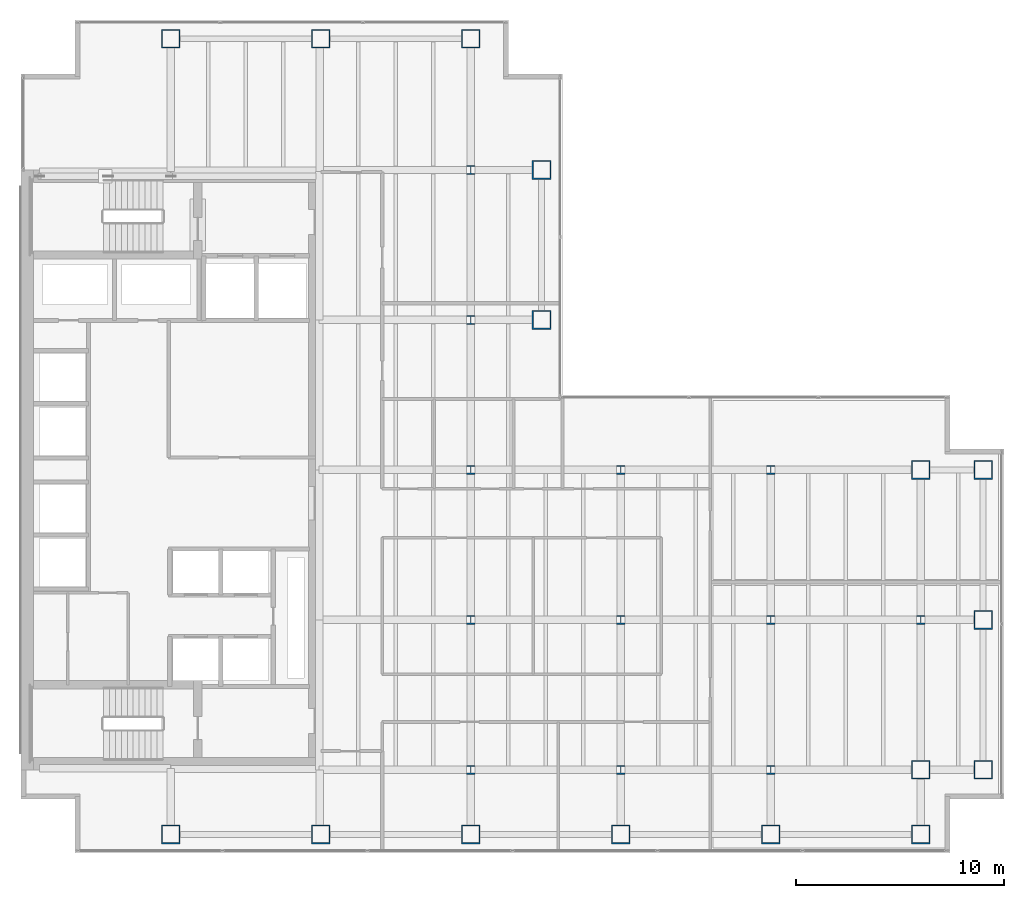
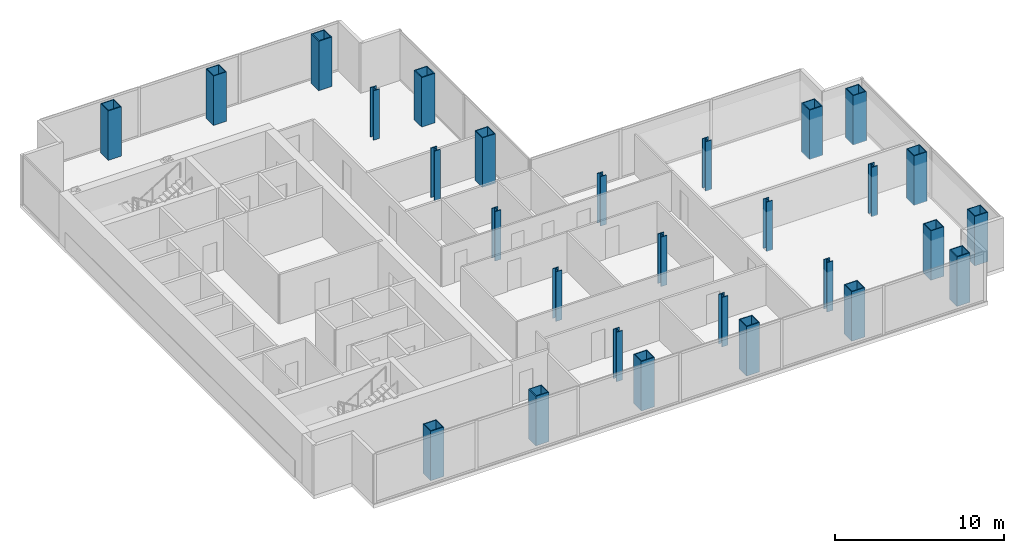
# One storey, part 1 of 23: 28 columns.
"""IFC4 building model written with IfcOpenShell, lengths in metres."""

from ifc_helpers import new_model, si_unit, direction, frame, origin, origin_2d, place, context, subcontext, project, spatial, hollow_rectangle, i_section, extrude, material, material_profile, profile_set, type_object, element, save


model = new_model("IFC4")

# Units and contexts
model_context = context("Model", 3, precision=1e-05, world=origin(), true_north=direction((0.0, 1.0)))
body_context = subcontext(model_context, "Body", "Model", "MODEL_VIEW")
ifc_project = project(units=[si_unit("LENGTHUNIT", "METRE"), si_unit("AREAUNIT", "SQUARE_METRE"), si_unit("VOLUMEUNIT", "CUBIC_METRE"), si_unit("PLANEANGLEUNIT", "RADIAN"), si_unit("MASSUNIT", "GRAM", prefix="KILO")], contexts=[model_context])

# Site, building, storey
site_placement = place(None, origin())
site = spatial("IfcSite", under=ifc_project, at=site_placement, CompositionType="ELEMENT")
building_placement = place(site_placement, origin())
building = spatial("IfcBuilding", under=site, at=building_placement, Name="Cobrela Telecom Tower", CompositionType="ELEMENT")
storey_placement = place(building_placement, frame((0.0, 0.0, 140.699951171875)))
storey = spatial("IfcBuildingStorey", under=building, at=storey_placement, Name="L35", CompositionType="ELEMENT", Elevation=140.699951171875)

# Columns
ifc_material_1 = material(Name="Steel ASTM A992 Grade 50", Category="steel")
ifc_material_profile_1 = material_profile(ifc_material_1, i_section(OverallWidth=0.408935546875, OverallDepth=0.424072265625, WebThickness=0.03271484375, FlangeThickness=0.052490234375, FilletRadius=0.01806640625, at=origin_2d()), Name="W14X283")
ifc_profile_set_1 = profile_set([ifc_material_profile_1], Name="Steel ASTM A992 Grade 50")
column_type_1 = type_object("IfcColumnType", Name="COL-INT-05", PredefinedType="COLUMN", material=ifc_profile_set_1)
for number, where, z_axis, x_axis, name in (
    (1, (21.60009765625, 7.199951171875, 0.0), (0.0, 0.0, 1.0), (1.0, 0.0, 0.0), "L35 Interior Column 06"),
    (2, (21.60009765625, 14.39990234375, 0.0), (0.0, 0.0, 1.0), (1.0, 0.0, 0.0), "L35 Interior Column 07"),
    (3, (21.60009765625, 21.60009765625, 0.0), (0.0, 0.0, 1.0), (1.0, 0.0, 0.0), "L35 Interior Column 08"),
    (4, (21.60009765625, 28.800048828125, 0.0), (0.0, 0.0, 1.0), (1.0, 0.0, 0.0), "L35 Interior Column 09"),
    (5, (21.60009765625, 36.0, 0.0), (0.0, 0.0, 1.0), (1.0, 0.0, 0.0), "L35 Interior Column 10"),
    (6, (28.800048828125, 7.199951171875, 0.0), (0.0, 0.0, 1.0), (1.0, 0.0, 0.0), "L35 Interior Column 15"),
    (7, (28.800048828125, 14.39990234375, 0.0), (0.0, 0.0, 1.0), (1.0, 0.0, 0.0), "L35 Interior Column 16"),
    (8, (28.800048828125, 21.60009765625, 0.0), (0.0, 0.0, 1.0), (1.0, 0.0, 0.0), "L35 Interior Column 17"),
    (9, (36.0, 7.199951171875, 0.0), (0.0, 0.0, 1.0), (1.0, 0.0, 0.0), "L35 Interior Column 19"),
    (10, (36.0, 14.39990234375, 0.0), (0.0, 0.0, 1.0), (1.0, 0.0, 0.0), "L35 Interior Column 20"),
    (11, (36.0, 21.60009765625, 0.0), (0.0, 0.0, 1.0), (1.0, 0.0, 0.0), "L35 Interior Column 21"),
    (12, (43.199951171875, 14.39990234375, 0.0), (0.0, 0.0, 1.0), (1.0, 0.0, 0.0), "L35 Interior Column 24"),
):
    element("IfcColumn", number, at=place(storey_placement, frame(where, z_axis=z_axis, x_axis=x_axis)), inside=storey, type_object=column_type_1, Name=name, PredefinedType="COLUMN", context=body_context, shape_type="SweptSolid", body=[
        extrude(i_section(OverallWidth=0.408935546875, OverallDepth=0.424072265625, WebThickness=0.03271484375, FlangeThickness=0.052490234375, FilletRadius=0.01806640625, at=origin_2d()), origin(), (0.0, 0.0, 1.0), 3.580078125),
    ])
ifc_material_2 = material(Name="Steel ASTM A572 Grade 50", Category="steel")
ifc_material_profile_2 = material_profile(ifc_material_2, hollow_rectangle(XDim=0.89990234375, YDim=0.89990234375, WallThickness=0.054931640625, at=origin_2d()), Name="BOX 900x900x55")
ifc_profile_set_2 = profile_set([ifc_material_profile_2], Name="Steel ASTM A572 Grade 50")
column_type_2 = type_object("IfcColumnType", Name="COL-MEGA-05", PredefinedType="COLUMN", material=ifc_profile_set_2)
for number, where, z_axis, x_axis, name in (
    (13, (7.199951171875, 4.10009765625, 0.0), (0.0, 0.0, 1.0), (1.0, 0.0, 0.0), "L35 Perimeter Mega-Column 01"),
    (14, (7.199951171875, 42.300048828125, 0.0), (0.0, 0.0, 1.0), (1.0, 0.0, 0.0), "L35 Perimeter Mega-Column 02"),
    (15, (14.39990234375, 4.10009765625, 0.0), (0.0, 0.0, 1.0), (1.0, 0.0, 0.0), "L35 Perimeter Mega-Column 03"),
    (16, (14.39990234375, 42.300048828125, 0.0), (0.0, 0.0, 1.0), (1.0, 0.0, 0.0), "L35 Perimeter Mega-Column 04"),
    (17, (21.60009765625, 4.10009765625, 0.0), (0.0, 0.0, 1.0), (1.0, 0.0, 0.0), "L35 Perimeter Mega-Column 05"),
    (18, (21.60009765625, 42.300048828125, 0.0), (0.0, 0.0, 1.0), (1.0, 0.0, 0.0), "L35 Perimeter Mega-Column 11"),
    (19, (25.0, 28.800048828125, 0.0), (0.0, 0.0, 1.0), (1.0, 0.0, 0.0), "L35 Perimeter Mega-Column 12"),
    (20, (25.0, 36.0, 0.0), (0.0, 0.0, 1.0), (1.0, 0.0, 0.0), "L35 Perimeter Mega-Column 13"),
    (21, (28.800048828125, 4.10009765625, 0.0), (0.0, 0.0, 1.0), (1.0, 0.0, 0.0), "L35 Perimeter Mega-Column 14"),
    (22, (36.0, 4.10009765625, 0.0), (0.0, 0.0, 1.0), (1.0, 0.0, 0.0), "L35 Perimeter Mega-Column 18"),
    (23, (43.199951171875, 4.10009765625, 0.0), (0.0, 0.0, 1.0), (1.0, 0.0, 0.0), "L35 Perimeter Mega-Column 22"),
    (24, (43.199951171875, 7.199951171875, 0.0), (0.0, 0.0, 1.0), (1.0, 0.0, 0.0), "L35 Perimeter Mega-Column 23"),
    (25, (43.199951171875, 21.60009765625, 0.0), (0.0, 0.0, 1.0), (1.0, 0.0, 0.0), "L35 Perimeter Mega-Column 25"),
    (26, (46.199951171875, 7.199951171875, 0.0), (0.0, 0.0, 1.0), (1.0, 0.0, 0.0), "L35 Perimeter Mega-Column 26"),
    (27, (46.199951171875, 14.39990234375, 0.0), (0.0, 0.0, 1.0), (1.0, 0.0, 0.0), "L35 Perimeter Mega-Column 27"),
    (28, (46.199951171875, 21.60009765625, 0.0), (0.0, 0.0, 1.0), (1.0, 0.0, 0.0), "L35 Perimeter Mega-Column 28"),
):
    element("IfcColumn", number, at=place(storey_placement, frame(where, z_axis=z_axis, x_axis=x_axis)), inside=storey, type_object=column_type_2, Name=name, PredefinedType="COLUMN", context=body_context, shape_type="SweptSolid", body=[
        extrude(hollow_rectangle(XDim=0.89990234375, YDim=0.89990234375, WallThickness=0.054931640625, at=origin_2d()), origin(), (0.0, 0.0, 1.0), 3.580078125),
    ])

save(model, "model.ifc")
